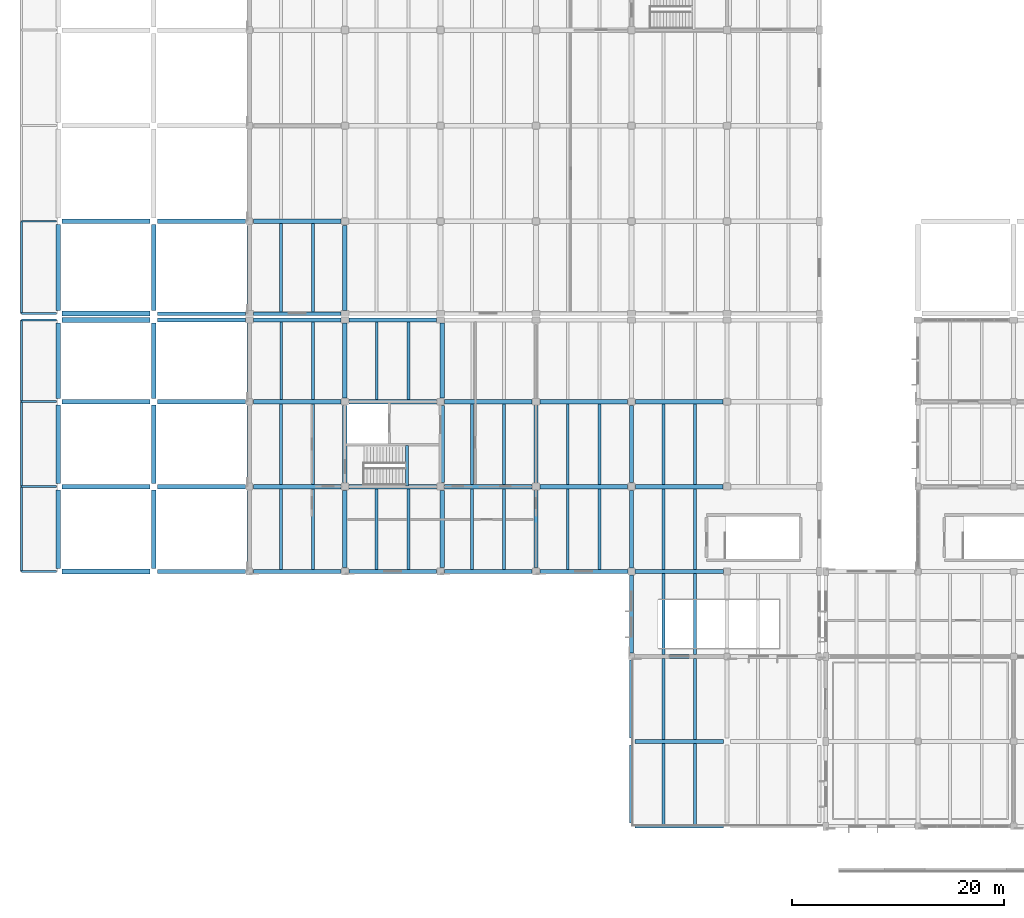
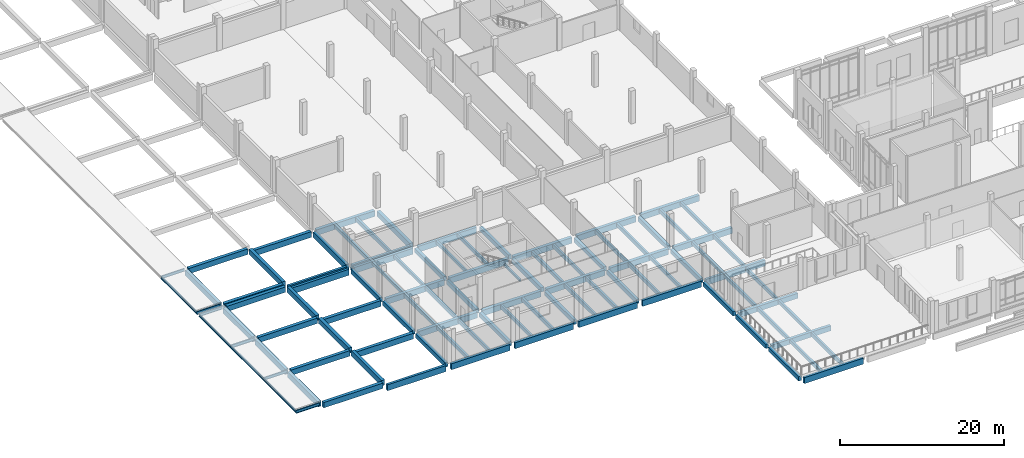
# One storey, part 11 of 110: 101 beams.
"""IFC4 building model written with IfcOpenShell, lengths in metres."""

from ifc_helpers import new_model, si_unit, direction, frame, origin, origin_2d, place, context, subcontext, project, spatial, rectangle, i_section, extrude, material, material_profile, profile_set, type_object, element, save


model = new_model("IFC4")

# Units and contexts
model_context = context("Model", 3, precision=1e-05, world=origin(), true_north=direction((0.0, 1.0)))
body_context = subcontext(model_context, "Body", "Model", "MODEL_VIEW")
ifc_project = project(units=[si_unit("LENGTHUNIT", "METRE"), si_unit("AREAUNIT", "SQUARE_METRE"), si_unit("VOLUMEUNIT", "CUBIC_METRE"), si_unit("PLANEANGLEUNIT", "RADIAN"), si_unit("MASSUNIT", "GRAM", prefix="KILO")], contexts=[model_context])

# Site, building, storey
site_placement = place(None, origin())
site = spatial("IfcSite", under=ifc_project, at=site_placement, CompositionType="ELEMENT")
building_placement = place(site_placement, origin())
building = spatial("IfcBuilding", under=site, at=building_placement, Name="Zacnel Wholesale Market", CompositionType="ELEMENT")
storey_placement = place(building_placement, frame((0.0, 0.0, 6.300048828125)))
storey = spatial("IfcBuildingStorey", under=building, at=storey_placement, Name="L02", CompositionType="ELEMENT", Elevation=6.300048828125)

# Beams
ifc_material_1 = material(Name="Precast concrete C45/55", Category="concrete")
ifc_material_profile_1 = material_profile(ifc_material_1, rectangle(XDim=0.280029296875, YDim=0.550048828125, at=origin_2d()), Name="DT RIB 280x550")
ifc_profile_set_1 = profile_set([ifc_material_profile_1], Name="Precast concrete C45/55")
beam_type_1 = type_object("IfcBeamType", Name="BM-DT550", PredefinedType="JOIST", material=ifc_profile_set_1)
for number, where, z_axis, x_axis, name in (
    (1, (57.0, 0.175048828125, -0.695068359375), (0.0, 1.0, 0.0), (-1.0, 0.0, 0.0), "Precast secondary joist L02-0001"),
    (2, (60.0, 0.175048828125, -0.695068359375), (0.0, 1.0, 0.0), (-1.0, 0.0, 0.0), "Precast secondary joist L02-0002"),
):
    element("IfcBeam", number, at=place(storey_placement, frame(where, z_axis=z_axis, x_axis=x_axis)), inside=storey, type_object=beam_type_1, Name=name, PredefinedType="JOIST", context=body_context, shape_type="SweptSolid", body=[
        extrude(rectangle(XDim=0.280029296875, YDim=0.550048828125, at=origin_2d()), origin(), (0.0, 0.0, 1.0), 7.625),
    ])
for number, where, z_axis, x_axis, name in (
    (3, (57.0, 8.199951171875, -0.695068359375), (0.0, 1.0, 0.0), (-1.0, 0.0, 0.0), "Precast secondary joist L02-0023"),
    (4, (60.0, 8.199951171875, -0.695068359375), (0.0, 1.0, 0.0), (-1.0, 0.0, 0.0), "Precast secondary joist L02-0024"),
):
    element("IfcBeam", number, at=place(storey_placement, frame(where, z_axis=z_axis, x_axis=x_axis)), inside=storey, type_object=beam_type_1, Name=name, PredefinedType="JOIST", context=body_context, shape_type="SweptSolid", body=[
        extrude(rectangle(XDim=0.280029296875, YDim=0.550048828125, at=origin_2d()), origin(), (0.0, 0.0, 1.0), 7.60009765625),
    ])
for number, where, z_axis, x_axis, name in (
    (5, (57.0, 16.199951171875, -0.695068359375), (0.0, 1.0, 0.0), (-1.0, 0.0, 0.0), "Precast secondary joist L02-0053"),
    (6, (60.0, 16.199951171875, -0.695068359375), (0.0, 1.0, 0.0), (-1.0, 0.0, 0.0), "Precast secondary joist L02-0054"),
):
    element("IfcBeam", number, at=place(storey_placement, frame(where, z_axis=z_axis, x_axis=x_axis)), inside=storey, type_object=beam_type_1, Name=name, PredefinedType="JOIST", context=body_context, shape_type="SweptSolid", body=[
        extrude(rectangle(XDim=0.280029296875, YDim=0.550048828125, at=origin_2d()), origin(), (0.0, 0.0, 1.0), 7.625),
    ])
for number, where, z_axis, x_axis, name in (
    (7, (21.0, 24.175048828125, -0.594970703125), (0.0, 1.0, 0.0), (-1.0, 0.0, 0.0), "Precast secondary joist L02-0085"),
    (8, (24.0, 24.175048828125, -0.594970703125), (0.0, 1.0, 0.0), (-1.0, 0.0, 0.0), "Precast secondary joist L02-0086"),
    (9, (30.0, 24.175048828125, -0.594970703125), (0.0, 1.0, 0.0), (-1.0, 0.0, 0.0), "Precast secondary joist L02-0087"),
    (10, (33.0, 24.175048828125, -0.594970703125), (0.0, 1.0, 0.0), (-1.0, 0.0, 0.0), "Precast secondary joist L02-0088"),
    (11, (39.0, 24.175048828125, -0.594970703125), (0.0, 1.0, 0.0), (-1.0, 0.0, 0.0), "Precast secondary joist L02-0089"),
    (12, (42.0, 24.175048828125, -0.594970703125), (0.0, 1.0, 0.0), (-1.0, 0.0, 0.0), "Precast secondary joist L02-0090"),
    (13, (48.0, 24.175048828125, -0.594970703125), (0.0, 1.0, 0.0), (-1.0, 0.0, 0.0), "Precast secondary joist L02-0091"),
    (14, (51.0, 24.175048828125, -0.594970703125), (0.0, 1.0, 0.0), (-1.0, 0.0, 0.0), "Precast secondary joist L02-0092"),
    (15, (57.0, 24.175048828125, -0.594970703125), (0.0, 1.0, 0.0), (-1.0, 0.0, 0.0), "Precast secondary joist L02-0093"),
    (16, (60.0, 24.175048828125, -0.594970703125), (0.0, 1.0, 0.0), (-1.0, 0.0, 0.0), "Precast secondary joist L02-0094"),
):
    element("IfcBeam", number, at=place(storey_placement, frame(where, z_axis=z_axis, x_axis=x_axis)), inside=storey, type_object=beam_type_1, Name=name, PredefinedType="JOIST", context=body_context, shape_type="SweptSolid", body=[
        extrude(rectangle(XDim=0.280029296875, YDim=0.550048828125, at=origin_2d()), origin(), (0.0, 0.0, 1.0), 7.599853515625),
    ])
for number, where, z_axis, x_axis, name in (
    (17, (21.0, 32.22509765625, -0.594970703125), (0.0, 1.0, 0.0), (-1.0, 0.0, 0.0), "Precast secondary joist L02-0115"),
    (18, (24.0, 32.22509765625, -0.594970703125), (0.0, 1.0, 0.0), (-1.0, 0.0, 0.0), "Precast secondary joist L02-0116"),
    (19, (39.0, 32.22509765625, -0.594970703125), (0.0, 1.0, 0.0), (-1.0, 0.0, 0.0), "Precast secondary joist L02-0117"),
    (20, (42.0, 32.22509765625, -0.594970703125), (0.0, 1.0, 0.0), (-1.0, 0.0, 0.0), "Precast secondary joist L02-0118"),
    (21, (48.0, 32.22509765625, -0.594970703125), (0.0, 1.0, 0.0), (-1.0, 0.0, 0.0), "Precast secondary joist L02-0119"),
    (22, (51.0, 32.22509765625, -0.594970703125), (0.0, 1.0, 0.0), (-1.0, 0.0, 0.0), "Precast secondary joist L02-0120"),
    (23, (57.0, 32.22509765625, -0.594970703125), (0.0, 1.0, 0.0), (-1.0, 0.0, 0.0), "Precast secondary joist L02-0121"),
    (24, (60.0, 32.22509765625, -0.594970703125), (0.0, 1.0, 0.0), (-1.0, 0.0, 0.0), "Precast secondary joist L02-0122"),
):
    element("IfcBeam", number, at=place(storey_placement, frame(where, z_axis=z_axis, x_axis=x_axis)), inside=storey, type_object=beam_type_1, Name=name, PredefinedType="JOIST", context=body_context, shape_type="SweptSolid", body=[
        extrude(rectangle(XDim=0.280029296875, YDim=0.550048828125, at=origin_2d()), origin(), (0.0, 0.0, 1.0), 7.5498046875),
    ])
ifc_material_2 = material(Name="Precast concrete C45/55", Category="concrete")
ifc_material_profile_2 = material_profile(ifc_material_2, rectangle(XDim=0.280029296875, YDim=0.60009765625, at=origin_2d()), Name="DT RIB 280x600")
ifc_profile_set_2 = profile_set([ifc_material_profile_2], Name="Precast concrete C45/55")
beam_type_2 = type_object("IfcBeamType", Name="BM-DT600", PredefinedType="JOIST", material=ifc_profile_set_2)
for number, where, z_axis, x_axis, name in (
    (25, (21.0, 48.47509765625, -0.6201171875), (0.0, 1.0, 0.0), (-1.0, 0.0, 0.0), "Precast secondary joist L02-0185"),
    (26, (24.0, 48.47509765625, -0.6201171875), (0.0, 1.0, 0.0), (-1.0, 0.0, 0.0), "Precast secondary joist L02-0186"),
):
    element("IfcBeam", number, at=place(storey_placement, frame(where, z_axis=z_axis, x_axis=x_axis)), inside=storey, type_object=beam_type_2, Name=name, PredefinedType="JOIST", context=body_context, shape_type="SweptSolid", body=[
        extrude(rectangle(XDim=0.280029296875, YDim=0.60009765625, at=origin_2d()), origin(), (0.0, 0.0, 1.0), 8.2998046875),
    ])
ifc_material_3 = material(Name="Precast concrete C45/55", Category="concrete")
ifc_material_profile_3 = material_profile(ifc_material_3, rectangle(XDim=0.25, YDim=0.35009765625, at=origin_2d()), Name="LN 250x350")
ifc_profile_set_3 = profile_set([ifc_material_profile_3], Name="Precast concrete C45/55")
beam_type_3 = type_object("IfcBeamType", Name="BM-LN350", PredefinedType="LINTEL", material=ifc_profile_set_3)
beam_1_placement = place(storey_placement, frame((32.860107421875, 32.080078125, 2.074951171875), z_axis=(0.0, 1.0, 0.0), x_axis=(-1.0, 0.0, 0.0)))
element("IfcBeam", 27, at=beam_1_placement, inside=storey, type_object=beam_type_3, Name="Stair ST-08 half-landing bearing beam", PredefinedType="LINTEL", context=body_context, shape_type="SweptSolid", body=[
    extrude(rectangle(XDim=0.25, YDim=0.35009765625, at=origin_2d()), origin(), (0.0, 0.0, 1.0), 3.7900390625),
])
ifc_material_4 = material(Name="Precast concrete C45/55", Category="concrete")
ifc_material_profile_4 = material_profile(ifc_material_4, rectangle(XDim=0.39990234375, YDim=0.64990234375, at=origin_2d()), Name="PG 400x650")
ifc_profile_set_4 = profile_set([ifc_material_profile_4], Name="Precast concrete C45/55")
beam_type_4 = type_object("IfcBeamType", Name="BM-PG650", PredefinedType="BEAM", material=ifc_profile_set_4)
for number, where, z_axis, x_axis, name in (
    (28, (18.0, 24.375, -0.64501953125), (0.0, 1.0, 0.0), (-1.0, 0.0, 0.0), "Precast girder Y-0324"),
    (29, (18.0, 32.375, -0.64501953125), (0.0, 1.0, 0.0), (-1.0, 0.0, 0.0), "Precast girder Y-0325"),
):
    element("IfcBeam", number, at=place(storey_placement, frame(where, z_axis=z_axis, x_axis=x_axis)), inside=storey, type_object=beam_type_4, Name=name, PredefinedType="BEAM", context=body_context, shape_type="SweptSolid", body=[
        extrude(rectangle(XDim=0.39990234375, YDim=0.64990234375, at=origin_2d()), origin(), (0.0, 0.0, 1.0), 7.25),
    ])
beam_2_placement = place(storey_placement, frame((18.0, 40.375, -0.64501953125), z_axis=(0.0, 1.0, 0.0), x_axis=(-1.0, 0.0, 0.0)))
element("IfcBeam", 30, at=beam_2_placement, inside=storey, type_object=beam_type_4, Name="Precast girder Y-0326", PredefinedType="BEAM", context=body_context, shape_type="SweptSolid", body=[
    extrude(rectangle(XDim=0.39990234375, YDim=0.64990234375, at=origin_2d()), origin(), (0.0, 0.0, 1.0), 7.050048828125),
])
for number, where, z_axis, x_axis, name in (
    (31, (27.0, 24.375, -0.64501953125), (0.0, 1.0, 0.0), (-1.0, 0.0, 0.0), "Precast girder Y-0336"),
    (32, (27.0, 32.375, -0.64501953125), (0.0, 1.0, 0.0), (-1.0, 0.0, 0.0), "Precast girder Y-0337"),
):
    element("IfcBeam", number, at=place(storey_placement, frame(where, z_axis=z_axis, x_axis=x_axis)), inside=storey, type_object=beam_type_4, Name=name, PredefinedType="BEAM", context=body_context, shape_type="SweptSolid", body=[
        extrude(rectangle(XDim=0.39990234375, YDim=0.64990234375, at=origin_2d()), origin(), (0.0, 0.0, 1.0), 7.25),
    ])
beam_3_placement = place(storey_placement, frame((27.0, 40.375, -0.64501953125), z_axis=(0.0, 1.0, 0.0), x_axis=(-1.0, 0.0, 0.0)))
element("IfcBeam", 33, at=beam_3_placement, inside=storey, type_object=beam_type_4, Name="Precast girder Y-0338", PredefinedType="BEAM", context=body_context, shape_type="SweptSolid", body=[
    extrude(rectangle(XDim=0.39990234375, YDim=0.64990234375, at=origin_2d()), origin(), (0.0, 0.0, 1.0), 7.050048828125),
])
for number, where, z_axis, x_axis, name in (
    (34, (36.179931640625, 24.375, -0.64501953125), (0.0, 1.0, 0.0), (-1.0, 0.0, 0.0), "Precast girder Y-0348"),
    (35, (36.179931640625, 32.375, -0.64501953125), (0.0, 1.0, 0.0), (-1.0, 0.0, 0.0), "Precast girder Y-0349"),
):
    element("IfcBeam", number, at=place(storey_placement, frame(where, z_axis=z_axis, x_axis=x_axis)), inside=storey, type_object=beam_type_4, Name=name, PredefinedType="BEAM", context=body_context, shape_type="SweptSolid", body=[
        extrude(rectangle(XDim=0.39990234375, YDim=0.64990234375, at=origin_2d()), origin(), (0.0, 0.0, 1.0), 7.25),
    ])
beam_4_placement = place(storey_placement, frame((36.179931640625, 40.375, -0.64501953125), z_axis=(0.0, 1.0, 0.0), x_axis=(-1.0, 0.0, 0.0)))
element("IfcBeam", 36, at=beam_4_placement, inside=storey, type_object=beam_type_4, Name="Precast girder Y-0350", PredefinedType="BEAM", context=body_context, shape_type="SweptSolid", body=[
    extrude(rectangle(XDim=0.39990234375, YDim=0.64990234375, at=origin_2d()), origin(), (0.0, 0.0, 1.0), 7.050048828125),
])
for number, where, z_axis, x_axis, name in (
    (37, (45.0, 24.375, -0.64501953125), (0.0, 1.0, 0.0), (-1.0, 0.0, 0.0), "Precast girder Y-0360"),
    (38, (45.0, 32.375, -0.64501953125), (0.0, 1.0, 0.0), (-1.0, 0.0, 0.0), "Precast girder Y-0361"),
):
    element("IfcBeam", number, at=place(storey_placement, frame(where, z_axis=z_axis, x_axis=x_axis)), inside=storey, type_object=beam_type_4, Name=name, PredefinedType="BEAM", context=body_context, shape_type="SweptSolid", body=[
        extrude(rectangle(XDim=0.39990234375, YDim=0.64990234375, at=origin_2d()), origin(), (0.0, 0.0, 1.0), 7.25),
    ])
for number, where, z_axis, x_axis, name in (
    (39, (54.0, 0.324951171875, -0.7451171875), (0.0, 1.0, 0.0), (-1.0, 0.0, 0.0), "Precast girder Y-0372"),
    (40, (54.0, 8.324951171875, -0.7451171875), (0.0, 1.0, 0.0), (-1.0, 0.0, 0.0), "Precast girder Y-0373"),
    (41, (54.0, 16.324951171875, -0.7451171875), (0.0, 1.0, 0.0), (-1.0, 0.0, 0.0), "Precast girder Y-0374"),
):
    element("IfcBeam", number, at=place(storey_placement, frame(where, z_axis=z_axis, x_axis=x_axis)), inside=storey, type_object=beam_type_4, Name=name, PredefinedType="BEAM", context=body_context, shape_type="SweptSolid", body=[
        extrude(rectangle(XDim=0.39990234375, YDim=0.64990234375, at=origin_2d()), origin(), (0.0, 0.0, 1.0), 7.35009765625),
    ])
beam_5_placement = place(storey_placement, frame((54.0, 24.324951171875, -0.64501953125), z_axis=(0.0, 1.0, 0.0), x_axis=(-1.0, 0.0, 0.0)))
element("IfcBeam", 42, at=beam_5_placement, inside=storey, type_object=beam_type_4, Name="Precast girder Y-0375", PredefinedType="BEAM", context=body_context, shape_type="SweptSolid", body=[
    extrude(rectangle(XDim=0.39990234375, YDim=0.64990234375, at=origin_2d()), origin(), (0.0, 0.0, 1.0), 7.300048828125),
])
beam_6_placement = place(storey_placement, frame((54.0, 32.375, -0.64501953125), z_axis=(0.0, 1.0, 0.0), x_axis=(-1.0, 0.0, 0.0)))
element("IfcBeam", 43, at=beam_6_placement, inside=storey, type_object=beam_type_4, Name="Precast girder Y-0376", PredefinedType="BEAM", context=body_context, shape_type="SweptSolid", body=[
    extrude(rectangle(XDim=0.39990234375, YDim=0.64990234375, at=origin_2d()), origin(), (0.0, 0.0, 1.0), 7.25),
])
ifc_material_5 = material(Name="Precast concrete C45/55", Category="concrete")
ifc_material_profile_5 = material_profile(ifc_material_5, rectangle(XDim=0.39990234375, YDim=0.75, at=origin_2d()), Name="PG 400x750")
ifc_profile_set_5 = profile_set([ifc_material_profile_5], Name="Precast concrete C45/55")
beam_type_5 = type_object("IfcBeamType", Name="BM-PG750", PredefinedType="BEAM", material=ifc_profile_set_5)
for number, where, z_axis, x_axis, name in (
    (44, (54.324951171875, 8.0, -0.795166015625), (1.0, 0.0, 0.0), (0.0, 1.0, 0.0), "Precast girder X-0014"),
    (45, (54.324951171875, 16.0, -0.795166015625), (1.0, 0.0, 0.0), (0.0, 1.0, 0.0), "Precast girder X-0031"),
):
    element("IfcBeam", number, at=place(storey_placement, frame(where, z_axis=z_axis, x_axis=x_axis)), inside=storey, type_object=beam_type_5, Name=name, PredefinedType="BEAM", context=body_context, shape_type="SweptSolid", body=[
        extrude(rectangle(XDim=0.39990234375, YDim=0.75, at=origin_2d()), origin(), (0.0, 0.0, 1.0), 8.35009765625),
    ])
ifc_material_6 = material(Name="Precast concrete C45/55", Category="concrete")
ifc_material_profile_6 = material_profile(ifc_material_6, rectangle(XDim=0.449951171875, YDim=0.800048828125, at=origin_2d()), Name="PG 450x800")
ifc_profile_set_6 = profile_set([ifc_material_profile_6], Name="Precast concrete C45/55")
beam_type_6 = type_object("IfcBeamType", Name="BM-PG800", PredefinedType="BEAM", material=ifc_profile_set_6)
for number, where, z_axis, x_axis, name in (
    (46, (0.35009765625, 24.0, -0.16015625), (1.0, 0.0, 0.0), (0.0, 1.0, 0.0), "Precast girder X-0049"),
    (47, (0.35009765625, 32.0, -0.16015625), (1.0, 0.0, 0.0), (0.0, 1.0, 0.0), "Precast girder X-0073"),
    (48, (0.35009765625, 40.0, -0.16015625), (1.0, 0.0, 0.0), (0.0, 1.0, 0.0), "Precast girder X-0094"),
):
    element("IfcBeam", number, at=place(storey_placement, frame(where, z_axis=z_axis, x_axis=x_axis)), inside=storey, type_object=beam_type_6, Name=name, PredefinedType="BEAM", context=body_context, shape_type="SweptSolid", body=[
        extrude(rectangle(XDim=0.449951171875, YDim=0.800048828125, at=origin_2d()), origin(), (0.0, 0.0, 1.0), 8.2998046875),
    ])
for number, where, z_axis, x_axis, name in (
    (49, (0.375, 47.699951171875, -0.16015625), (1.0, 0.0, 0.0), (0.0, 1.0, 0.0), "Precast girder X-0115"),
    (50, (0.375, 48.300048828125, -0.16015625), (1.0, 0.0, 0.0), (0.0, 1.0, 0.0), "Precast girder X-0137"),
):
    element("IfcBeam", number, at=place(storey_placement, frame(where, z_axis=z_axis, x_axis=x_axis)), inside=storey, type_object=beam_type_6, Name=name, PredefinedType="BEAM", context=body_context, shape_type="SweptSolid", body=[
        extrude(rectangle(XDim=0.449951171875, YDim=0.800048828125, at=origin_2d()), origin(), (0.0, 0.0, 1.0), 8.25),
    ])
beam_7_placement = place(storey_placement, frame((0.35009765625, 57.0, -0.16015625), z_axis=(1.0, 0.0, 0.0), x_axis=(0.0, 1.0, 0.0)))
element("IfcBeam", 51, at=beam_7_placement, inside=storey, type_object=beam_type_6, Name="Precast girder X-0155", PredefinedType="BEAM", context=body_context, shape_type="SweptSolid", body=[
    extrude(rectangle(XDim=0.449951171875, YDim=0.800048828125, at=origin_2d()), origin(), (0.0, 0.0, 1.0), 8.2998046875),
])
for number, where, z_axis, x_axis, name in (
    (52, (0.0, 24.300048828125, -0.16015625), (0.0, 1.0, 0.0), (-1.0, 0.0, 0.0), "Precast girder Y-0300"),
    (53, (0.0, 32.300048828125, -0.16015625), (0.0, 1.0, 0.0), (-1.0, 0.0, 0.0), "Precast girder Y-0301"),
):
    element("IfcBeam", number, at=place(storey_placement, frame(where, z_axis=z_axis, x_axis=x_axis)), inside=storey, type_object=beam_type_6, Name=name, PredefinedType="BEAM", context=body_context, shape_type="SweptSolid", body=[
        extrude(rectangle(XDim=0.449951171875, YDim=0.800048828125, at=origin_2d()), origin(), (0.0, 0.0, 1.0), 7.39990234375),
    ])
beam_8_placement = place(storey_placement, frame((0.0, 40.300048828125, -0.16015625), z_axis=(0.0, 1.0, 0.0), x_axis=(-1.0, 0.0, 0.0)))
element("IfcBeam", 54, at=beam_8_placement, inside=storey, type_object=beam_type_6, Name="Precast girder Y-0302", PredefinedType="BEAM", context=body_context, shape_type="SweptSolid", body=[
    extrude(rectangle(XDim=0.449951171875, YDim=0.800048828125, at=origin_2d()), origin(), (0.0, 0.0, 1.0), 7.125),
])
beam_9_placement = place(storey_placement, frame((0.0, 48.574951171875, -0.16015625), z_axis=(0.0, 1.0, 0.0), x_axis=(-1.0, 0.0, 0.0)))
element("IfcBeam", 55, at=beam_9_placement, inside=storey, type_object=beam_type_6, Name="Precast girder Y-0303", PredefinedType="BEAM", context=body_context, shape_type="SweptSolid", body=[
    extrude(rectangle(XDim=0.449951171875, YDim=0.800048828125, at=origin_2d()), origin(), (0.0, 0.0, 1.0), 8.125),
])
for number, where, z_axis, x_axis, name in (
    (56, (9.0, 24.300048828125, -0.16015625), (0.0, 1.0, 0.0), (-1.0, 0.0, 0.0), "Precast girder Y-0312"),
    (57, (9.0, 32.300048828125, -0.16015625), (0.0, 1.0, 0.0), (-1.0, 0.0, 0.0), "Precast girder Y-0313"),
):
    element("IfcBeam", number, at=place(storey_placement, frame(where, z_axis=z_axis, x_axis=x_axis)), inside=storey, type_object=beam_type_6, Name=name, PredefinedType="BEAM", context=body_context, shape_type="SweptSolid", body=[
        extrude(rectangle(XDim=0.449951171875, YDim=0.800048828125, at=origin_2d()), origin(), (0.0, 0.0, 1.0), 7.39990234375),
    ])
beam_10_placement = place(storey_placement, frame((9.0, 40.300048828125, -0.16015625), z_axis=(0.0, 1.0, 0.0), x_axis=(-1.0, 0.0, 0.0)))
element("IfcBeam", 58, at=beam_10_placement, inside=storey, type_object=beam_type_6, Name="Precast girder Y-0314", PredefinedType="BEAM", context=body_context, shape_type="SweptSolid", body=[
    extrude(rectangle(XDim=0.449951171875, YDim=0.800048828125, at=origin_2d()), origin(), (0.0, 0.0, 1.0), 7.125),
])
beam_11_placement = place(storey_placement, frame((9.0, 48.574951171875, -0.16015625), z_axis=(0.0, 1.0, 0.0), x_axis=(-1.0, 0.0, 0.0)))
element("IfcBeam", 59, at=beam_11_placement, inside=storey, type_object=beam_type_6, Name="Precast girder Y-0315", PredefinedType="BEAM", context=body_context, shape_type="SweptSolid", body=[
    extrude(rectangle(XDim=0.449951171875, YDim=0.800048828125, at=origin_2d()), origin(), (0.0, 0.0, 1.0), 8.125),
])
for number, where, z_axis, x_axis, name in (
    (60, (18.0, 48.574951171875, -0.719970703125), (0.0, 1.0, 0.0), (-1.0, 0.0, 0.0), "Precast girder Y-0327"),
    (61, (27.0, 48.574951171875, -0.719970703125), (0.0, 1.0, 0.0), (-1.0, 0.0, 0.0), "Precast girder Y-0339"),
):
    element("IfcBeam", number, at=place(storey_placement, frame(where, z_axis=z_axis, x_axis=x_axis)), inside=storey, type_object=beam_type_6, Name=name, PredefinedType="BEAM", context=body_context, shape_type="SweptSolid", body=[
        extrude(rectangle(XDim=0.449951171875, YDim=0.800048828125, at=origin_2d()), origin(), (0.0, 0.0, 1.0), 8.050048828125),
    ])
ifc_material_7 = material(Name="Precast concrete C45/55", Category="concrete")
ifc_material_profile_7 = material_profile(ifc_material_7, rectangle(XDim=0.449951171875, YDim=0.85009765625, at=origin_2d()), Name="PG 450x850")
ifc_profile_set_7 = profile_set([ifc_material_profile_7], Name="Precast concrete C45/55")
beam_type_7 = type_object("IfcBeamType", Name="BM-PG850", PredefinedType="BEAM", material=ifc_profile_set_7)
beam_12_placement = place(storey_placement, frame((9.35009765625, 32.0, -0.72509765625), z_axis=(1.0, 0.0, 0.0), x_axis=(0.0, 1.0, 0.0)))
element("IfcBeam", 62, at=beam_12_placement, inside=storey, type_object=beam_type_7, Name="Precast girder X-0074", PredefinedType="BEAM", context=body_context, shape_type="SweptSolid", body=[
    extrude(rectangle(XDim=0.449951171875, YDim=0.85009765625, at=origin_2d()), origin(), (0.0, 0.0, 1.0), 8.27490234375),
])
for number, where, z_axis, x_axis, name in (
    (63, (18.375, 32.0, -0.7451171875), (1.0, 0.0, 0.0), (0.0, 1.0, 0.0), "Precast girder X-0075"),
    (64, (27.375, 32.0, -0.7451171875), (1.0, 0.0, 0.0), (0.0, 1.0, 0.0), "Precast girder X-0076"),
    (65, (36.375, 32.0, -0.7451171875), (1.0, 0.0, 0.0), (0.0, 1.0, 0.0), "Precast girder X-0077"),
    (66, (45.375, 32.0, -0.7451171875), (1.0, 0.0, 0.0), (0.0, 1.0, 0.0), "Precast girder X-0078"),
    (67, (54.375, 32.0, -0.7451171875), (1.0, 0.0, 0.0), (0.0, 1.0, 0.0), "Precast girder X-0079"),
):
    element("IfcBeam", number, at=place(storey_placement, frame(where, z_axis=z_axis, x_axis=x_axis)), inside=storey, type_object=beam_type_7, Name=name, PredefinedType="BEAM", context=body_context, shape_type="SweptSolid", body=[
        extrude(rectangle(XDim=0.449951171875, YDim=0.85009765625, at=origin_2d()), origin(), (0.0, 0.0, 1.0), 8.25),
    ])
beam_13_placement = place(storey_placement, frame((9.35009765625, 40.0, -0.72509765625), z_axis=(1.0, 0.0, 0.0), x_axis=(0.0, 1.0, 0.0)))
element("IfcBeam", 68, at=beam_13_placement, inside=storey, type_object=beam_type_7, Name="Precast girder X-0095", PredefinedType="BEAM", context=body_context, shape_type="SweptSolid", body=[
    extrude(rectangle(XDim=0.449951171875, YDim=0.85009765625, at=origin_2d()), origin(), (0.0, 0.0, 1.0), 8.27490234375),
])
for number, where, z_axis, x_axis, name in (
    (69, (18.375, 40.0, -0.7451171875), (1.0, 0.0, 0.0), (0.0, 1.0, 0.0), "Precast girder X-0096"),
    (70, (27.375, 40.0, -0.7451171875), (1.0, 0.0, 0.0), (0.0, 1.0, 0.0), "Precast girder X-0097"),
    (71, (36.375, 40.0, -0.7451171875), (1.0, 0.0, 0.0), (0.0, 1.0, 0.0), "Precast girder X-0098"),
    (72, (45.375, 40.0, -0.7451171875), (1.0, 0.0, 0.0), (0.0, 1.0, 0.0), "Precast girder X-0099"),
    (73, (54.375, 40.0, -0.7451171875), (1.0, 0.0, 0.0), (0.0, 1.0, 0.0), "Precast girder X-0100"),
):
    element("IfcBeam", number, at=place(storey_placement, frame(where, z_axis=z_axis, x_axis=x_axis)), inside=storey, type_object=beam_type_7, Name=name, PredefinedType="BEAM", context=body_context, shape_type="SweptSolid", body=[
        extrude(rectangle(XDim=0.449951171875, YDim=0.85009765625, at=origin_2d()), origin(), (0.0, 0.0, 1.0), 8.25),
    ])
beam_14_placement = place(storey_placement, frame((9.35009765625, 57.0, -0.72509765625), z_axis=(1.0, 0.0, 0.0), x_axis=(0.0, 1.0, 0.0)))
element("IfcBeam", 74, at=beam_14_placement, inside=storey, type_object=beam_type_7, Name="Precast girder X-0156", PredefinedType="BEAM", context=body_context, shape_type="SweptSolid", body=[
    extrude(rectangle(XDim=0.449951171875, YDim=0.85009765625, at=origin_2d()), origin(), (0.0, 0.0, 1.0), 8.27490234375),
])
beam_15_placement = place(storey_placement, frame((18.375, 57.0, -0.7451171875), z_axis=(1.0, 0.0, 0.0), x_axis=(0.0, 1.0, 0.0)))
element("IfcBeam", 75, at=beam_15_placement, inside=storey, type_object=beam_type_7, Name="Precast girder X-0157", PredefinedType="BEAM", context=body_context, shape_type="SweptSolid", body=[
    extrude(rectangle(XDim=0.449951171875, YDim=0.85009765625, at=origin_2d()), origin(), (0.0, 0.0, 1.0), 8.25),
])
ifc_material_8 = material(Name="Precast concrete C45/55", Category="concrete")
ifc_material_profile_8 = material_profile(ifc_material_8, rectangle(XDim=0.260009765625, YDim=0.5, at=origin_2d()), Name="PJ 260x500")
ifc_profile_set_8 = profile_set([ifc_material_profile_8], Name="Precast concrete C45/55")
beam_type_8 = type_object("IfcBeamType", Name="BM-PJ500", PredefinedType="HOLLOWCORE", material=ifc_profile_set_8)
for number, where, z_axis, x_axis, name in (
    (76, (21.0, 40.22509765625, -0.570068359375), (0.0, 1.0, 0.0), (-1.0, 0.0, 0.0), "Precast secondary joist L02-0149"),
    (77, (24.0, 40.22509765625, -0.570068359375), (0.0, 1.0, 0.0), (-1.0, 0.0, 0.0), "Precast secondary joist L02-0150"),
    (78, (30.0, 40.22509765625, -0.570068359375), (0.0, 1.0, 0.0), (-1.0, 0.0, 0.0), "Precast secondary joist L02-0151"),
    (79, (33.0, 40.22509765625, -0.570068359375), (0.0, 1.0, 0.0), (-1.0, 0.0, 0.0), "Precast secondary joist L02-0152"),
):
    element("IfcBeam", number, at=place(storey_placement, frame(where, z_axis=z_axis, x_axis=x_axis)), inside=storey, type_object=beam_type_8, Name=name, PredefinedType="HOLLOWCORE", context=body_context, shape_type="SweptSolid", body=[
        extrude(rectangle(XDim=0.260009765625, YDim=0.5, at=origin_2d()), origin(), (0.0, 0.0, 1.0), 7.2998046875),
    ])
ifc_material_9 = material(Name="Precast concrete C45/55", Category="concrete")
ifc_material_profile_9 = material_profile(ifc_material_9, rectangle(XDim=0.35009765625, YDim=0.89990234375, at=origin_2d()), Name="SP 350x900")
ifc_profile_set_9 = profile_set([ifc_material_profile_9], Name="Precast concrete C45/55")
beam_type_9 = type_object("IfcBeamType", Name="BM-SP900", PredefinedType="SPANDREL", material=ifc_profile_set_9)
beam_16_placement = place(storey_placement, frame((54.324951171875, 0.0, -0.8701171875), z_axis=(1.0, 0.0, 0.0), x_axis=(0.0, 1.0, 0.0)))
element("IfcBeam", 80, at=beam_16_placement, inside=storey, type_object=beam_type_9, Name="Precast girder X-0001", PredefinedType="SPANDREL", context=body_context, shape_type="SweptSolid", body=[
    extrude(rectangle(XDim=0.35009765625, YDim=0.89990234375, at=origin_2d()), origin(), (0.0, 0.0, 1.0), 8.35009765625),
])
beam_17_placement = place(storey_placement, frame((9.35009765625, 24.0, -0.75), z_axis=(1.0, 0.0, 0.0), x_axis=(0.0, 1.0, 0.0)))
element("IfcBeam", 81, at=beam_17_placement, inside=storey, type_object=beam_type_9, Name="Precast girder X-0050", PredefinedType="SPANDREL", context=body_context, shape_type="SweptSolid", body=[
    extrude(rectangle(XDim=0.35009765625, YDim=0.89990234375, at=origin_2d()), origin(), (0.0, 0.0, 1.0), 8.27490234375),
])
for number, where, z_axis, x_axis, name in (
    (82, (18.375, 24.0, -0.77001953125), (1.0, 0.0, 0.0), (0.0, 1.0, 0.0), "Precast girder X-0051"),
    (83, (27.375, 24.0, -0.77001953125), (1.0, 0.0, 0.0), (0.0, 1.0, 0.0), "Precast girder X-0052"),
    (84, (36.375, 24.0, -0.77001953125), (1.0, 0.0, 0.0), (0.0, 1.0, 0.0), "Precast girder X-0053"),
):
    element("IfcBeam", number, at=place(storey_placement, frame(where, z_axis=z_axis, x_axis=x_axis)), inside=storey, type_object=beam_type_9, Name=name, PredefinedType="SPANDREL", context=body_context, shape_type="SweptSolid", body=[
        extrude(rectangle(XDim=0.35009765625, YDim=0.89990234375, at=origin_2d()), origin(), (0.0, 0.0, 1.0), 8.25),
    ])
beam_18_placement = place(storey_placement, frame((45.375, 24.0, -0.77001953125), z_axis=(1.0, 0.0, 0.0), x_axis=(0.0, 1.0, 0.0)))
element("IfcBeam", 85, at=beam_18_placement, inside=storey, type_object=beam_type_9, Name="Precast girder X-0054", PredefinedType="SPANDREL", context=body_context, shape_type="SweptSolid", body=[
    extrude(rectangle(XDim=0.35009765625, YDim=0.89990234375, at=origin_2d()), origin(), (0.0, 0.0, 1.0), 8.300048828125),
])
beam_19_placement = place(storey_placement, frame((54.324951171875, 24.0, -0.77001953125), z_axis=(1.0, 0.0, 0.0), x_axis=(0.0, 1.0, 0.0)))
element("IfcBeam", 86, at=beam_19_placement, inside=storey, type_object=beam_type_9, Name="Precast girder X-0055", PredefinedType="SPANDREL", context=body_context, shape_type="SweptSolid", body=[
    extrude(rectangle(XDim=0.35009765625, YDim=0.89990234375, at=origin_2d()), origin(), (0.0, 0.0, 1.0), 8.35009765625),
])
for number, where, z_axis, x_axis, name in (
    (87, (9.375, 47.699951171875, -0.75), (1.0, 0.0, 0.0), (0.0, 1.0, 0.0), "Precast girder X-0116"),
    (88, (18.375, 47.699951171875, -0.77001953125), (1.0, 0.0, 0.0), (0.0, 1.0, 0.0), "Precast girder X-0117"),
    (89, (27.375, 47.699951171875, -0.77001953125), (1.0, 0.0, 0.0), (0.0, 1.0, 0.0), "Precast girder X-0118"),
    (90, (9.375, 48.300048828125, -0.75), (1.0, 0.0, 0.0), (0.0, 1.0, 0.0), "Precast girder X-0138"),
    (91, (18.375, 48.300048828125, -0.77001953125), (1.0, 0.0, 0.0), (0.0, 1.0, 0.0), "Precast girder X-0139"),
):
    element("IfcBeam", number, at=place(storey_placement, frame(where, z_axis=z_axis, x_axis=x_axis)), inside=storey, type_object=beam_type_9, Name=name, PredefinedType="SPANDREL", context=body_context, shape_type="SweptSolid", body=[
        extrude(rectangle(XDim=0.35009765625, YDim=0.89990234375, at=origin_2d()), origin(), (0.0, 0.0, 1.0), 8.25),
    ])
ifc_material_10 = material(Name="Steel S355", Category="steel")
ifc_material_profile_10 = material_profile(ifc_material_10, i_section(OverallWidth=0.172119140625, OverallDepth=0.35791015625, WebThickness=0.0078125, FlangeThickness=0.01318359375, FilletRadius=0.010986328125, at=origin_2d()), Name="W360X57.8")
ifc_profile_set_10 = profile_set([ifc_material_profile_10], Name="Steel S355")
beam_type_10 = type_object("IfcBeamType", Name="BM-STL-W360", PredefinedType="BEAM", material=ifc_profile_set_10)
for number, where, z_axis, x_axis, name in (
    (92, (-3.449951171875, 24.02001953125, 0.14501953125), (0.0, 1.0, 0.0), (-1.0, 0.0, 0.0), "Dock canopy fascia beam 24-32"),
    (93, (-3.449951171875, 32.02001953125, 0.14501953125), (0.0, 1.0, 0.0), (-1.0, 0.0, 0.0), "Dock canopy fascia beam 32-40"),
):
    element("IfcBeam", number, at=place(storey_placement, frame(where, z_axis=z_axis, x_axis=x_axis)), inside=storey, type_object=beam_type_10, Name=name, PredefinedType="BEAM", context=body_context, shape_type="SweptSolid", body=[
        extrude(i_section(OverallWidth=0.172119140625, OverallDepth=0.35791015625, WebThickness=0.0078125, FlangeThickness=0.01318359375, FilletRadius=0.010986328125, at=origin_2d()), origin(), (0.0, 0.0, 1.0), 7.9599609375),
    ])
beam_20_placement = place(storey_placement, frame((-3.449951171875, 40.02001953125, 0.14501953125), z_axis=(0.0, 1.0, 0.0), x_axis=(-1.0, 0.0, 0.0)))
element("IfcBeam", 94, at=beam_20_placement, inside=storey, type_object=beam_type_10, Name="Dock canopy fascia beam 40-48", PredefinedType="BEAM", context=body_context, shape_type="SweptSolid", body=[
    extrude(i_section(OverallWidth=0.172119140625, OverallDepth=0.35791015625, WebThickness=0.0078125, FlangeThickness=0.01318359375, FilletRadius=0.010986328125, at=origin_2d()), origin(), (0.0, 0.0, 1.0), 7.659912109375),
])
beam_21_placement = place(storey_placement, frame((-3.449951171875, 48.320068359375, 0.14501953125), z_axis=(0.0, 1.0, 0.0), x_axis=(-1.0, 0.0, 0.0)))
element("IfcBeam", 95, at=beam_21_placement, inside=storey, type_object=beam_type_10, Name="Dock canopy fascia beam 48-57", PredefinedType="BEAM", context=body_context, shape_type="SweptSolid", body=[
    extrude(i_section(OverallWidth=0.172119140625, OverallDepth=0.35791015625, WebThickness=0.0078125, FlangeThickness=0.01318359375, FilletRadius=0.010986328125, at=origin_2d()), origin(), (0.0, 0.0, 1.0), 8.659912109375),
])
ifc_material_11 = material(Name="Steel S355", Category="steel")
ifc_material_profile_11 = material_profile(ifc_material_11, i_section(OverallWidth=0.178955078125, OverallDepth=0.409912109375, WebThickness=0.0087890625, FlangeThickness=0.014404296875, FilletRadius=0.011962890625, at=origin_2d()), Name="W410X67")
ifc_profile_set_11 = profile_set([ifc_material_profile_11], Name="Steel S355")
beam_type_11 = type_object("IfcBeamType", Name="BM-STL-W410", PredefinedType="BEAM", material=ifc_profile_set_11)
for number, where, z_axis, x_axis, name in (
    (96, (-0.14990234375, 32.0, 0.118896484375), (-1.0, 0.0, 0.0), (0.0, -1.0, 0.0), "Dock canopy steel outrigger 02"),
    (97, (-0.14990234375, 47.699951171875, 0.118896484375), (-1.0, 0.0, 0.0), (0.0, -1.0, 0.0), "Dock canopy steel outrigger 04"),
    (98, (-0.14990234375, 57.0, 0.118896484375), (-1.0, 0.0, 0.0), (0.0, -1.0, 0.0), "Dock canopy steel outrigger 06"),
):
    element("IfcBeam", number, at=place(storey_placement, frame(where, z_axis=z_axis, x_axis=x_axis)), inside=storey, type_object=beam_type_11, Name=name, PredefinedType="BEAM", context=body_context, shape_type="SweptSolid", body=[
        extrude(i_section(OverallWidth=0.178955078125, OverallDepth=0.409912109375, WebThickness=0.0087890625, FlangeThickness=0.014404296875, FilletRadius=0.011962890625, at=origin_2d()), origin(), (0.0, 0.0, 1.0), 3.330078125),
    ])
ifc_material_12 = material(Name="Steel S355", Category="steel")
ifc_material_profile_12 = material_profile(ifc_material_12, i_section(OverallWidth=0.19091796875, OverallDepth=0.4599609375, WebThickness=0.010009765625, FlangeThickness=0.01611328125, FilletRadius=0.012939453125, at=origin_2d()), Name="W460X82")
ifc_profile_set_12 = profile_set([ifc_material_profile_12], Name="Steel S355")
beam_type_12 = type_object("IfcBeamType", Name="BM-STL-W460", PredefinedType="BEAM", material=ifc_profile_set_12)
for number, where, z_axis, x_axis, name in (
    (99, (-0.14990234375, 24.0, 0.093994140625), (-1.0, 0.0, 0.0), (0.0, -1.0, 0.0), "Dock canopy steel outrigger 01"),
    (100, (-0.14990234375, 40.0, 0.093994140625), (-1.0, 0.0, 0.0), (0.0, -1.0, 0.0), "Dock canopy steel outrigger 03"),
    (101, (-0.14990234375, 48.300048828125, 0.093994140625), (-1.0, 0.0, 0.0), (0.0, -1.0, 0.0), "Dock canopy steel outrigger 05"),
):
    element("IfcBeam", number, at=place(storey_placement, frame(where, z_axis=z_axis, x_axis=x_axis)), inside=storey, type_object=beam_type_12, Name=name, PredefinedType="BEAM", context=body_context, shape_type="SweptSolid", body=[
        extrude(i_section(OverallWidth=0.19091796875, OverallDepth=0.4599609375, WebThickness=0.010009765625, FlangeThickness=0.01611328125, FilletRadius=0.012939453125, at=origin_2d()), origin(), (0.0, 0.0, 1.0), 3.330078125),
    ])

save(model, "model.ifc")
